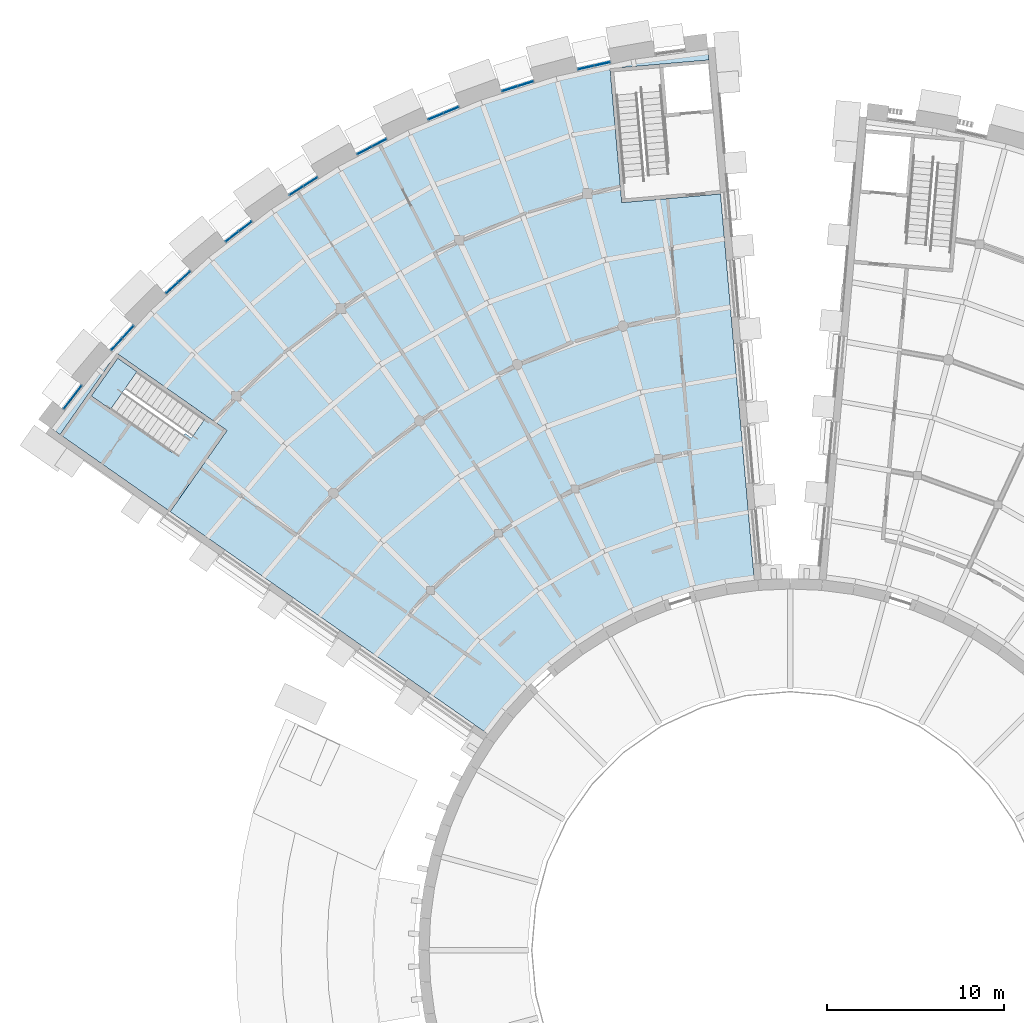
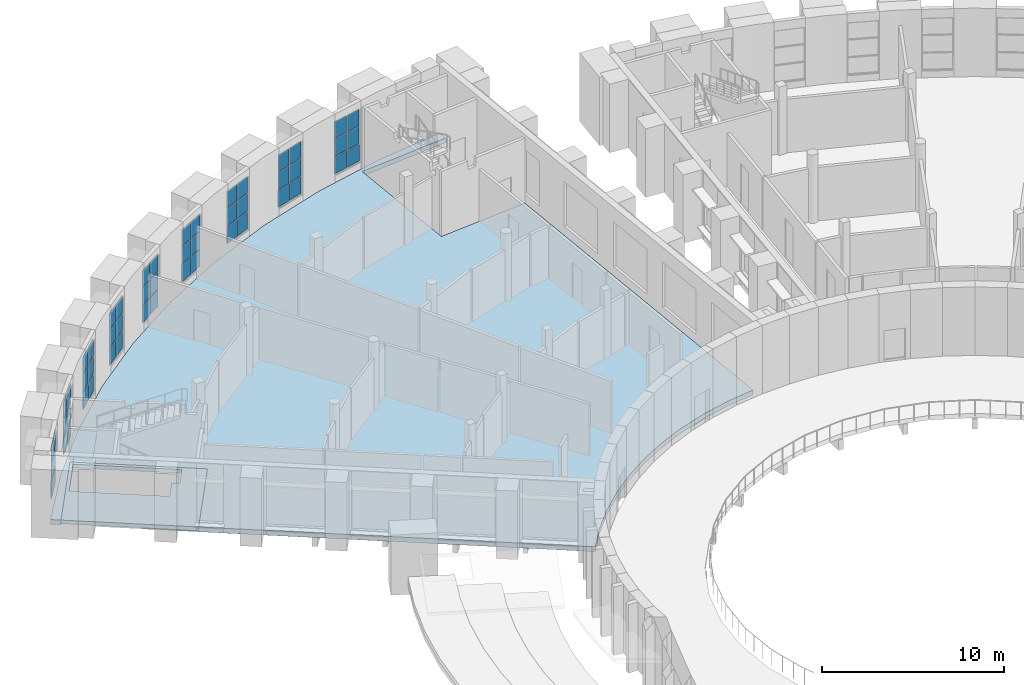
# One storey, part 21 of 50: 51 plates, 3 slabs, 10 elements without a shape of their own.
"""IFC4 building model written with IfcOpenShell, lengths in metres."""

from ifc_helpers import new_model, si_unit, direction, frame, origin, origin_2d, place, context, subcontext, project, spatial, polyline, rectangle, outline, extrude, material, layer, layer_set, type_object, element, aggregate, save


model = new_model("IFC4")

# Units and contexts
model_context = context("Model", 3, precision=1e-05, world=origin(), true_north=direction((0.0, 1.0)))
body_context = subcontext(model_context, "Body", "Model", "MODEL_VIEW")
ifc_project = project(units=[si_unit("LENGTHUNIT", "METRE"), si_unit("AREAUNIT", "SQUARE_METRE"), si_unit("VOLUMEUNIT", "CUBIC_METRE"), si_unit("PLANEANGLEUNIT", "RADIAN"), si_unit("MASSUNIT", "GRAM", prefix="KILO")], contexts=[model_context])

# Site, building, storey
site_placement = place(None, origin())
site = spatial("IfcSite", under=ifc_project, at=site_placement, CompositionType="ELEMENT")
building_placement = place(site_placement, origin())
building = spatial("IfcBuilding", under=site, at=building_placement, Name="Volute Hill Aquarium", CompositionType="ELEMENT")
storey_placement = place(building_placement, frame((0.0, 0.0, 9.199951171875)))
storey = spatial("IfcBuildingStorey", under=building, at=storey_placement, Name="L03", CompositionType="ELEMENT", Elevation=9.199951171875)

# Slab
ifc_material_1 = material(Name="Concrete C30/37", Category="concrete")
ifc_layer_1 = layer(ifc_material_1, 0.25)
ifc_layer_set_1 = layer_set([ifc_layer_1], Name="Core floor slab 250")
slab_type_1 = type_object("IfcSlabType", Name="Core floor slab 250", PredefinedType="FLOOR", material=ifc_layer_set_1)
slab_1_placement = place(storey_placement, frame((0.0, 0.0, -0.25)))
element("IfcSlab", 1, at=slab_1_placement, inside=storey, type_object=slab_type_1, Name="cs/S6-B/L03", PredefinedType="FLOOR", context=body_context, shape_type="SweptSolid", body=[
    extrude(outline(polyline([(-31.81494140625, 29.357421875), (-38.040283203125, 33.716796875), (-41.25244140625, 29.12939453125), (-35.02685546875, 24.770263671875), (-31.81494140625, 29.357421875)]), holes=[polyline([(-34.936279296875, 28.125), (-39.482666015625, 31.308349609375), (-37.9912109375, 33.43798828125), (-33.077880859375, 29.997802734375), (-33.82373046875, 28.932861328125), (-34.190673828125, 29.18994140625), (-34.936279296875, 28.125)])]), origin(), (0.0, 0.0, 1.0), 0.25),
])

# Curtain wall, plates
ifc_material_2 = material(Name="Aluminium", Category="aluminium")
ifc_layer_2 = layer(ifc_material_2, 0.25)
ifc_layer_set_2 = layer_set([ifc_layer_2], Name="Curtain wall niche S6 module 967")
curtain_wall_type_1 = type_object("IfcCurtainWallType", Name="Curtain wall niche S6 module 967", PredefinedType="NOTDEFINED", material=ifc_layer_set_2)
curtain_wall_1_placement = place(storey_placement, origin())
curtain_wall_1 = element("IfcCurtainWall", 2, at=curtain_wall_1_placement, inside=storey, type_object=curtain_wall_type_1, Name="Curtain wall CW S6 L03 2", PredefinedType="NOTDEFINED")
ifc_material_3 = material(Name="Glass, low-iron laminated", Category="glass")
ifc_layer_3 = layer(ifc_material_3, 0.035888671875)
ifc_layer_set_3 = layer_set([ifc_layer_3], Name="Curtain wall glass panel S6 36")
plate_type_1 = type_object("IfcPlateType", Name="Curtain wall glass panel S6 36", PredefinedType="CURTAIN_PANEL", material=ifc_layer_set_3)
plate_1_placement = place(storey_placement, frame((-10.61669921875, 50.064697265625, 1.675048828125), z_axis=(0.0, 0.0, 1.0), x_axis=(-0.976298264105, -0.216429433084, 0.0)))
plate_1 = element("IfcPlate", 3, at=plate_1_placement, type_object=plate_type_1, Name="CW panel 1.2", PredefinedType="CURTAIN_PANEL", context=body_context, shape_type="SweptSolid", body=[
    extrude(rectangle(XDim=0.891845703125, YDim=0.035888671875, at=origin_2d()), origin(), (0.0, 0.0, 1.0), 1.14990234375),
])
plate_2_placement = place(storey_placement, frame((-10.61669921875, 50.064697265625, 2.875), z_axis=(0.0, 0.0, 1.0), x_axis=(-0.976298264105, -0.216429433084, 0.0)))
plate_2 = element("IfcPlate", 4, at=plate_2_placement, type_object=plate_type_1, Name="CW panel 1.3", PredefinedType="CURTAIN_PANEL", context=body_context, shape_type="SweptSolid", body=[
    extrude(rectangle(XDim=0.891845703125, YDim=0.035888671875, at=origin_2d()), origin(), (0.0, 0.0, 1.0), 1.125),
])
plate_3_placement = place(storey_placement, frame((-11.536376953125, 49.86083984375, 1.675048828125), z_axis=(0.0, 0.0, 1.0), x_axis=(-0.976298264105, -0.216429433084, 0.0)))
plate_3 = element("IfcPlate", 5, at=plate_3_placement, type_object=plate_type_1, Name="CW panel 2.2", PredefinedType="CURTAIN_PANEL", context=body_context, shape_type="SweptSolid", body=[
    extrude(rectangle(XDim=0.891845703125, YDim=0.035888671875, at=origin_2d()), origin(), (0.0, 0.0, 1.0), 1.14990234375),
])
plate_4_placement = place(storey_placement, frame((-11.536376953125, 49.86083984375, 2.875), z_axis=(0.0, 0.0, 1.0), x_axis=(-0.976298264105, -0.216429433084, 0.0)))
plate_4 = element("IfcPlate", 6, at=plate_4_placement, type_object=plate_type_1, Name="CW panel 2.3", PredefinedType="CURTAIN_PANEL", context=body_context, shape_type="SweptSolid", body=[
    extrude(rectangle(XDim=0.891845703125, YDim=0.035888671875, at=origin_2d()), origin(), (0.0, 0.0, 1.0), 1.125),
])

curtain_wall_2_placement = place(storey_placement, origin())
curtain_wall_2 = element("IfcCurtainWall", 7, at=curtain_wall_2_placement, inside=storey, type_object=curtain_wall_type_1, Name="Curtain wall CW S6 L03 3", PredefinedType="NOTDEFINED")
plate_5_placement = place(storey_placement, frame((-14.939697265625, 48.948974609375, 1.675048828125), z_axis=(0.0, 0.0, 1.0), x_axis=(-0.953716759337, -0.300706406582, 0.0)))
plate_5 = element("IfcPlate", 8, at=plate_5_placement, type_object=plate_type_1, Name="CW panel 1.2", PredefinedType="CURTAIN_PANEL", context=body_context, shape_type="SweptSolid", body=[
    extrude(rectangle(XDim=0.891845703125, YDim=0.035888671875, at=origin_2d()), origin(), (0.0, 0.0, 1.0), 1.14990234375),
])
plate_6_placement = place(storey_placement, frame((-14.939697265625, 48.948974609375, 2.875), z_axis=(0.0, 0.0, 1.0), x_axis=(-0.953716759337, -0.300706406582, 0.0)))
plate_6 = element("IfcPlate", 9, at=plate_6_placement, type_object=plate_type_1, Name="CW panel 1.3", PredefinedType="CURTAIN_PANEL", context=body_context, shape_type="SweptSolid", body=[
    extrude(rectangle(XDim=0.891845703125, YDim=0.035888671875, at=origin_2d()), origin(), (0.0, 0.0, 1.0), 1.125),
])
plate_7_placement = place(storey_placement, frame((-15.838134765625, 48.665771484375, 1.675048828125), z_axis=(0.0, 0.0, 1.0), x_axis=(-0.953716759337, -0.300706406582, 0.0)))
plate_7 = element("IfcPlate", 10, at=plate_7_placement, type_object=plate_type_1, Name="CW panel 2.2", PredefinedType="CURTAIN_PANEL", context=body_context, shape_type="SweptSolid", body=[
    extrude(rectangle(XDim=0.891845703125, YDim=0.035888671875, at=origin_2d()), origin(), (0.0, 0.0, 1.0), 1.14990234375),
])
plate_8_placement = place(storey_placement, frame((-15.838134765625, 48.665771484375, 2.875), z_axis=(0.0, 0.0, 1.0), x_axis=(-0.953716759337, -0.300706406582, 0.0)))
plate_8 = element("IfcPlate", 11, at=plate_8_placement, type_object=plate_type_1, Name="CW panel 2.3", PredefinedType="CURTAIN_PANEL", context=body_context, shape_type="SweptSolid", body=[
    extrude(rectangle(XDim=0.891845703125, YDim=0.035888671875, at=origin_2d()), origin(), (0.0, 0.0, 1.0), 1.125),
])

curtain_wall_3_placement = place(storey_placement, origin())
curtain_wall_3 = element("IfcCurtainWall", 12, at=curtain_wall_3_placement, inside=storey, type_object=curtain_wall_type_1, Name="Curtain wall CW S6 L03 4", PredefinedType="NOTDEFINED")
plate_9_placement = place(storey_placement, frame((-19.149169921875, 47.460693359375, 1.675048828125), z_axis=(0.0, 0.0, 1.0), x_axis=(-0.923881012069, -0.382679860378, 0.0)))
plate_9 = element("IfcPlate", 13, at=plate_9_placement, type_object=plate_type_1, Name="CW panel 1.2", PredefinedType="CURTAIN_PANEL", context=body_context, shape_type="SweptSolid", body=[
    extrude(rectangle(XDim=0.891845703125, YDim=0.035888671875, at=origin_2d()), origin(), (0.0, 0.0, 1.0), 1.14990234375),
])
plate_10_placement = place(storey_placement, frame((-19.149169921875, 47.460693359375, 2.875), z_axis=(0.0, 0.0, 1.0), x_axis=(-0.923881012069, -0.382679860378, 0.0)))
plate_10 = element("IfcPlate", 14, at=plate_10_placement, type_object=plate_type_1, Name="CW panel 1.3", PredefinedType="CURTAIN_PANEL", context=body_context, shape_type="SweptSolid", body=[
    extrude(rectangle(XDim=0.891845703125, YDim=0.035888671875, at=origin_2d()), origin(), (0.0, 0.0, 1.0), 1.125),
])
plate_11_placement = place(storey_placement, frame((-20.019287109375, 47.10009765625, 1.675048828125), z_axis=(0.0, 0.0, 1.0), x_axis=(-0.923881012069, -0.382679860378, 0.0)))
plate_11 = element("IfcPlate", 15, at=plate_11_placement, type_object=plate_type_1, Name="CW panel 2.2", PredefinedType="CURTAIN_PANEL", context=body_context, shape_type="SweptSolid", body=[
    extrude(rectangle(XDim=0.891845703125, YDim=0.035888671875, at=origin_2d()), origin(), (0.0, 0.0, 1.0), 1.14990234375),
])
plate_12_placement = place(storey_placement, frame((-20.019287109375, 47.10009765625, 2.875), z_axis=(0.0, 0.0, 1.0), x_axis=(-0.923881012069, -0.382679860378, 0.0)))
plate_12 = element("IfcPlate", 16, at=plate_12_placement, type_object=plate_type_1, Name="CW panel 2.3", PredefinedType="CURTAIN_PANEL", context=body_context, shape_type="SweptSolid", body=[
    extrude(rectangle(XDim=0.891845703125, YDim=0.035888671875, at=origin_2d()), origin(), (0.0, 0.0, 1.0), 1.125),
])

curtain_wall_4_placement = place(storey_placement, origin())
curtain_wall_4 = element("IfcCurtainWall", 17, at=curtain_wall_4_placement, inside=storey, type_object=curtain_wall_type_1, Name="Curtain wall CW S6 L03 5", PredefinedType="NOTDEFINED")
plate_13_placement = place(storey_placement, frame((-23.212646484375, 45.611083984375, 1.675048828125), z_axis=(0.0, 0.0, 1.0), x_axis=(-0.88700512397, -0.461759580356, 0.0)))
plate_13 = element("IfcPlate", 18, at=plate_13_placement, type_object=plate_type_1, Name="CW panel 1.2", PredefinedType="CURTAIN_PANEL", context=body_context, shape_type="SweptSolid", body=[
    extrude(rectangle(XDim=0.891845703125, YDim=0.035888671875, at=origin_2d()), origin(), (0.0, 0.0, 1.0), 1.14990234375),
])
plate_14_placement = place(storey_placement, frame((-23.212646484375, 45.611083984375, 2.875), z_axis=(0.0, 0.0, 1.0), x_axis=(-0.88700512397, -0.461759580356, 0.0)))
plate_14 = element("IfcPlate", 19, at=plate_14_placement, type_object=plate_type_1, Name="CW panel 1.3", PredefinedType="CURTAIN_PANEL", context=body_context, shape_type="SweptSolid", body=[
    extrude(rectangle(XDim=0.891845703125, YDim=0.035888671875, at=origin_2d()), origin(), (0.0, 0.0, 1.0), 1.125),
])
plate_15_placement = place(storey_placement, frame((-24.048095703125, 45.17626953125, 1.675048828125), z_axis=(0.0, 0.0, 1.0), x_axis=(-0.88700512397, -0.461759580356, 0.0)))
plate_15 = element("IfcPlate", 20, at=plate_15_placement, type_object=plate_type_1, Name="CW panel 2.2", PredefinedType="CURTAIN_PANEL", context=body_context, shape_type="SweptSolid", body=[
    extrude(rectangle(XDim=0.891845703125, YDim=0.035888671875, at=origin_2d()), origin(), (0.0, 0.0, 1.0), 1.14990234375),
])
plate_16_placement = place(storey_placement, frame((-24.048095703125, 45.17626953125, 2.875), z_axis=(0.0, 0.0, 1.0), x_axis=(-0.88700512397, -0.461759580356, 0.0)))
plate_16 = element("IfcPlate", 21, at=plate_16_placement, type_object=plate_type_1, Name="CW panel 2.3", PredefinedType="CURTAIN_PANEL", context=body_context, shape_type="SweptSolid", body=[
    extrude(rectangle(XDim=0.891845703125, YDim=0.035888671875, at=origin_2d()), origin(), (0.0, 0.0, 1.0), 1.125),
])

curtain_wall_5_placement = place(storey_placement, origin())
curtain_wall_5 = element("IfcCurtainWall", 22, at=curtain_wall_5_placement, inside=storey, type_object=curtain_wall_type_1, Name="Curtain wall CW S6 L03 6", PredefinedType="NOTDEFINED")
plate_17_placement = place(storey_placement, frame((-27.099609375, 43.414306640625, 1.675048828125), z_axis=(0.0, 0.0, 1.0), x_axis=(-0.843394579142, -0.537294689973, 0.0)))
plate_17 = element("IfcPlate", 23, at=plate_17_placement, type_object=plate_type_1, Name="CW panel 1.2", PredefinedType="CURTAIN_PANEL", context=body_context, shape_type="SweptSolid", body=[
    extrude(rectangle(XDim=0.891845703125, YDim=0.035888671875, at=origin_2d()), origin(), (0.0, 0.0, 1.0), 1.14990234375),
])
plate_18_placement = place(storey_placement, frame((-27.099609375, 43.414306640625, 2.875), z_axis=(0.0, 0.0, 1.0), x_axis=(-0.843394579142, -0.537294689973, 0.0)))
plate_18 = element("IfcPlate", 24, at=plate_18_placement, type_object=plate_type_1, Name="CW panel 1.3", PredefinedType="CURTAIN_PANEL", context=body_context, shape_type="SweptSolid", body=[
    extrude(rectangle(XDim=0.891845703125, YDim=0.035888671875, at=origin_2d()), origin(), (0.0, 0.0, 1.0), 1.125),
])
plate_19_placement = place(storey_placement, frame((-27.89404296875, 42.908203125, 1.675048828125), z_axis=(0.0, 0.0, 1.0), x_axis=(-0.843394579142, -0.537294689973, 0.0)))
plate_19 = element("IfcPlate", 25, at=plate_19_placement, type_object=plate_type_1, Name="CW panel 2.2", PredefinedType="CURTAIN_PANEL", context=body_context, shape_type="SweptSolid", body=[
    extrude(rectangle(XDim=0.891845703125, YDim=0.035888671875, at=origin_2d()), origin(), (0.0, 0.0, 1.0), 1.14990234375),
])
plate_20_placement = place(storey_placement, frame((-27.89404296875, 42.908203125, 2.875), z_axis=(0.0, 0.0, 1.0), x_axis=(-0.843394579142, -0.537294689973, 0.0)))
plate_20 = element("IfcPlate", 26, at=plate_20_placement, type_object=plate_type_1, Name="CW panel 2.3", PredefinedType="CURTAIN_PANEL", context=body_context, shape_type="SweptSolid", body=[
    extrude(rectangle(XDim=0.891845703125, YDim=0.035888671875, at=origin_2d()), origin(), (0.0, 0.0, 1.0), 1.125),
])

curtain_wall_6_placement = place(storey_placement, origin())
curtain_wall_6 = element("IfcCurtainWall", 27, at=curtain_wall_6_placement, inside=storey, type_object=curtain_wall_type_1, Name="Curtain wall CW S6 L03 7", PredefinedType="NOTDEFINED")
plate_21_placement = place(storey_placement, frame((-30.7802734375, 40.88720703125, 1.675048828125), z_axis=(0.0, 0.0, 1.0), x_axis=(-0.793347775493, -0.608768681127, 0.0)))
plate_21 = element("IfcPlate", 28, at=plate_21_placement, type_object=plate_type_1, Name="CW panel 1.2", PredefinedType="CURTAIN_PANEL", context=body_context, shape_type="SweptSolid", body=[
    extrude(rectangle(XDim=0.891845703125, YDim=0.035888671875, at=origin_2d()), origin(), (0.0, 0.0, 1.0), 1.14990234375),
])
plate_22_placement = place(storey_placement, frame((-30.7802734375, 40.88720703125, 2.875), z_axis=(0.0, 0.0, 1.0), x_axis=(-0.793347775493, -0.608768681127, 0.0)))
plate_22 = element("IfcPlate", 29, at=plate_22_placement, type_object=plate_type_1, Name="CW panel 1.3", PredefinedType="CURTAIN_PANEL", context=body_context, shape_type="SweptSolid", body=[
    extrude(rectangle(XDim=0.891845703125, YDim=0.035888671875, at=origin_2d()), origin(), (0.0, 0.0, 1.0), 1.125),
])
plate_23_placement = place(storey_placement, frame((-31.527587890625, 40.31396484375, 1.675048828125), z_axis=(0.0, 0.0, 1.0), x_axis=(-0.793347775493, -0.608768681127, 0.0)))
plate_23 = element("IfcPlate", 30, at=plate_23_placement, type_object=plate_type_1, Name="CW panel 2.2", PredefinedType="CURTAIN_PANEL", context=body_context, shape_type="SweptSolid", body=[
    extrude(rectangle(XDim=0.891845703125, YDim=0.035888671875, at=origin_2d()), origin(), (0.0, 0.0, 1.0), 1.14990234375),
])
plate_24_placement = place(storey_placement, frame((-31.527587890625, 40.31396484375, 2.875), z_axis=(0.0, 0.0, 1.0), x_axis=(-0.793347775493, -0.608768681127, 0.0)))
plate_24 = element("IfcPlate", 31, at=plate_24_placement, type_object=plate_type_1, Name="CW panel 2.3", PredefinedType="CURTAIN_PANEL", context=body_context, shape_type="SweptSolid", body=[
    extrude(rectangle(XDim=0.891845703125, YDim=0.035888671875, at=origin_2d()), origin(), (0.0, 0.0, 1.0), 1.125),
])

curtain_wall_7_placement = place(storey_placement, origin())
curtain_wall_7 = element("IfcCurtainWall", 32, at=curtain_wall_7_placement, inside=storey, type_object=curtain_wall_type_1, Name="Curtain wall CW S6 L03 8", PredefinedType="NOTDEFINED")
plate_25_placement = place(storey_placement, frame((-34.226806640625, 38.049072265625, 1.675048828125), z_axis=(0.0, 0.0, 1.0), x_axis=(-0.737284850624, -0.675582007635, 0.0)))
plate_25 = element("IfcPlate", 33, at=plate_25_placement, type_object=plate_type_1, Name="CW panel 1.2", PredefinedType="CURTAIN_PANEL", context=body_context, shape_type="SweptSolid", body=[
    extrude(rectangle(XDim=0.891845703125, YDim=0.035888671875, at=origin_2d()), origin(), (0.0, 0.0, 1.0), 1.14990234375),
])
plate_26_placement = place(storey_placement, frame((-34.226806640625, 38.049072265625, 2.875), z_axis=(0.0, 0.0, 1.0), x_axis=(-0.737284850624, -0.675582007635, 0.0)))
plate_26 = element("IfcPlate", 34, at=plate_26_placement, type_object=plate_type_1, Name="CW panel 1.3", PredefinedType="CURTAIN_PANEL", context=body_context, shape_type="SweptSolid", body=[
    extrude(rectangle(XDim=0.891845703125, YDim=0.035888671875, at=origin_2d()), origin(), (0.0, 0.0, 1.0), 1.125),
])
plate_27_placement = place(storey_placement, frame((-34.921142578125, 37.412841796875, 1.675048828125), z_axis=(0.0, 0.0, 1.0), x_axis=(-0.737284850624, -0.675582007635, 0.0)))
plate_27 = element("IfcPlate", 35, at=plate_27_placement, type_object=plate_type_1, Name="CW panel 2.2", PredefinedType="CURTAIN_PANEL", context=body_context, shape_type="SweptSolid", body=[
    extrude(rectangle(XDim=0.891845703125, YDim=0.035888671875, at=origin_2d()), origin(), (0.0, 0.0, 1.0), 1.14990234375),
])
plate_28_placement = place(storey_placement, frame((-34.921142578125, 37.412841796875, 2.875), z_axis=(0.0, 0.0, 1.0), x_axis=(-0.737284850624, -0.675582007635, 0.0)))
plate_28 = element("IfcPlate", 36, at=plate_28_placement, type_object=plate_type_1, Name="CW panel 2.3", PredefinedType="CURTAIN_PANEL", context=body_context, shape_type="SweptSolid", body=[
    extrude(rectangle(XDim=0.891845703125, YDim=0.035888671875, at=origin_2d()), origin(), (0.0, 0.0, 1.0), 1.125),
])

curtain_wall_8_placement = place(storey_placement, origin())
curtain_wall_8 = element("IfcCurtainWall", 37, at=curtain_wall_8_placement, inside=storey, type_object=curtain_wall_type_1, Name="Curtain wall CW S6 L03 9", PredefinedType="NOTDEFINED")
plate_29_placement = place(storey_placement, frame((-37.412841796875, 34.921142578125, 1.675048828125), z_axis=(0.0, 0.0, 1.0), x_axis=(-0.675582007635, -0.737284850624, 0.0)))
plate_29 = element("IfcPlate", 38, at=plate_29_placement, type_object=plate_type_1, Name="CW panel 1.2", PredefinedType="CURTAIN_PANEL", context=body_context, shape_type="SweptSolid", body=[
    extrude(rectangle(XDim=0.891845703125, YDim=0.035888671875, at=origin_2d()), origin(), (0.0, 0.0, 1.0), 1.14990234375),
])
plate_30_placement = place(storey_placement, frame((-37.412841796875, 34.921142578125, 2.875), z_axis=(0.0, 0.0, 1.0), x_axis=(-0.675582007635, -0.737284850624, 0.0)))
plate_30 = element("IfcPlate", 39, at=plate_30_placement, type_object=plate_type_1, Name="CW panel 1.3", PredefinedType="CURTAIN_PANEL", context=body_context, shape_type="SweptSolid", body=[
    extrude(rectangle(XDim=0.891845703125, YDim=0.035888671875, at=origin_2d()), origin(), (0.0, 0.0, 1.0), 1.125),
])
plate_31_placement = place(storey_placement, frame((-38.049072265625, 34.226806640625, 1.675048828125), z_axis=(0.0, 0.0, 1.0), x_axis=(-0.675582007635, -0.737284850624, 0.0)))
plate_31 = element("IfcPlate", 40, at=plate_31_placement, type_object=plate_type_1, Name="CW panel 2.2", PredefinedType="CURTAIN_PANEL", context=body_context, shape_type="SweptSolid", body=[
    extrude(rectangle(XDim=0.891845703125, YDim=0.035888671875, at=origin_2d()), origin(), (0.0, 0.0, 1.0), 1.14990234375),
])
plate_32_placement = place(storey_placement, frame((-38.049072265625, 34.226806640625, 2.875), z_axis=(0.0, 0.0, 1.0), x_axis=(-0.675582007635, -0.737284850624, 0.0)))
plate_32 = element("IfcPlate", 41, at=plate_32_placement, type_object=plate_type_1, Name="CW panel 2.3", PredefinedType="CURTAIN_PANEL", context=body_context, shape_type="SweptSolid", body=[
    extrude(rectangle(XDim=0.891845703125, YDim=0.035888671875, at=origin_2d()), origin(), (0.0, 0.0, 1.0), 1.125),
])

ifc_material_4 = material(Name="Aluminium", Category="aluminium")
ifc_layer_4 = layer(ifc_material_4, 0.25)
ifc_layer_set_4 = layer_set([ifc_layer_4], Name="Curtain wall niche S6 module 1734")
curtain_wall_type_2 = type_object("IfcCurtainWallType", Name="Curtain wall niche S6 module 1734", PredefinedType="NOTDEFINED", material=ifc_layer_set_4)
curtain_wall_9_placement = place(storey_placement, origin())
curtain_wall_9 = element("IfcCurtainWall", 42, at=curtain_wall_9_placement, inside=storey, type_object=curtain_wall_type_2, Name="Curtain wall CW S6 L03 10", PredefinedType="NOTDEFINED")
plate_33_placement = place(storey_placement, frame((-40.539794921875, 31.2333984375, 1.675048828125), z_axis=(0.0, 0.0, 1.0), x_axis=(-0.608766945394, -0.79334910739, 0.0)))
plate_33 = element("IfcPlate", 43, at=plate_33_placement, type_object=plate_type_1, Name="CW panel 1.2", PredefinedType="CURTAIN_PANEL", context=body_context, shape_type="SweptSolid", body=[
    extrude(rectangle(XDim=1.633544921875, YDim=0.035888671875, at=origin_2d()), origin(), (0.0, 0.0, 1.0), 1.14990234375),
])
plate_34_placement = place(storey_placement, frame((-40.539794921875, 31.2333984375, 2.875), z_axis=(0.0, 0.0, 1.0), x_axis=(-0.608766945394, -0.79334910739, 0.0)))
plate_34 = element("IfcPlate", 44, at=plate_34_placement, type_object=plate_type_1, Name="CW panel 1.3", PredefinedType="CURTAIN_PANEL", context=body_context, shape_type="SweptSolid", body=[
    extrude(rectangle(XDim=1.633544921875, YDim=0.035888671875, at=origin_2d()), origin(), (0.0, 0.0, 1.0), 1.125),
])

# Plate
ifc_material_5 = material(Name="Aluminium", Category="aluminium")
ifc_layer_5 = layer(ifc_material_5, 0.06005859375)
ifc_layer_set_5 = layer_set([ifc_layer_5], Name="Curtain wall insulated spandrel panel 60")
plate_type_2 = type_object("IfcPlateType", Name="Curtain wall insulated spandrel panel 60", PredefinedType="CURTAIN_PANEL", material=ifc_layer_set_5)
plate_35_placement = place(storey_placement, frame((-10.61669921875, 50.064697265625, 0.5), z_axis=(0.0, 0.0, 1.0), x_axis=(-0.976298264105, -0.216429433084, 0.0)))
plate_35 = element("IfcPlate", 45, at=plate_35_placement, type_object=plate_type_2, Name="CW panel 1.1", PredefinedType="CURTAIN_PANEL", context=body_context, shape_type="SweptSolid", body=[
    extrude(rectangle(XDim=0.891845703125, YDim=0.06005859375, at=origin_2d()), origin(), (0.0, 0.0, 1.0), 1.125),
])

plate_36_placement = place(storey_placement, frame((-11.536376953125, 49.86083984375, 0.5), z_axis=(0.0, 0.0, 1.0), x_axis=(-0.976298264105, -0.216429433084, 0.0)))
plate_36 = element("IfcPlate", 46, at=plate_36_placement, type_object=plate_type_2, Name="CW panel 2.1", PredefinedType="CURTAIN_PANEL", context=body_context, shape_type="SweptSolid", body=[
    extrude(rectangle(XDim=0.891845703125, YDim=0.06005859375, at=origin_2d()), origin(), (0.0, 0.0, 1.0), 1.125),
])

aggregate(curtain_wall_1, [plate_35, plate_1, plate_2, plate_36, plate_3, plate_4])

plate_37_placement = place(storey_placement, frame((-14.939697265625, 48.948974609375, 0.5), z_axis=(0.0, 0.0, 1.0), x_axis=(-0.953716759337, -0.300706406582, 0.0)))
plate_37 = element("IfcPlate", 47, at=plate_37_placement, type_object=plate_type_2, Name="CW panel 1.1", PredefinedType="CURTAIN_PANEL", context=body_context, shape_type="SweptSolid", body=[
    extrude(rectangle(XDim=0.891845703125, YDim=0.06005859375, at=origin_2d()), origin(), (0.0, 0.0, 1.0), 1.125),
])

plate_38_placement = place(storey_placement, frame((-15.838134765625, 48.665771484375, 0.5), z_axis=(0.0, 0.0, 1.0), x_axis=(-0.953716759337, -0.300706406582, 0.0)))
plate_38 = element("IfcPlate", 48, at=plate_38_placement, type_object=plate_type_2, Name="CW panel 2.1", PredefinedType="CURTAIN_PANEL", context=body_context, shape_type="SweptSolid", body=[
    extrude(rectangle(XDim=0.891845703125, YDim=0.06005859375, at=origin_2d()), origin(), (0.0, 0.0, 1.0), 1.125),
])

aggregate(curtain_wall_2, [plate_37, plate_5, plate_6, plate_38, plate_7, plate_8])

plate_39_placement = place(storey_placement, frame((-19.149169921875, 47.460693359375, 0.5), z_axis=(0.0, 0.0, 1.0), x_axis=(-0.923881012069, -0.382679860378, 0.0)))
plate_39 = element("IfcPlate", 49, at=plate_39_placement, type_object=plate_type_2, Name="CW panel 1.1", PredefinedType="CURTAIN_PANEL", context=body_context, shape_type="SweptSolid", body=[
    extrude(rectangle(XDim=0.891845703125, YDim=0.06005859375, at=origin_2d()), origin(), (0.0, 0.0, 1.0), 1.125),
])

plate_40_placement = place(storey_placement, frame((-20.019287109375, 47.10009765625, 0.5), z_axis=(0.0, 0.0, 1.0), x_axis=(-0.923881012069, -0.382679860378, 0.0)))
plate_40 = element("IfcPlate", 50, at=plate_40_placement, type_object=plate_type_2, Name="CW panel 2.1", PredefinedType="CURTAIN_PANEL", context=body_context, shape_type="SweptSolid", body=[
    extrude(rectangle(XDim=0.891845703125, YDim=0.06005859375, at=origin_2d()), origin(), (0.0, 0.0, 1.0), 1.125),
])

aggregate(curtain_wall_3, [plate_39, plate_9, plate_10, plate_40, plate_11, plate_12])

plate_41_placement = place(storey_placement, frame((-23.212646484375, 45.611083984375, 0.5), z_axis=(0.0, 0.0, 1.0), x_axis=(-0.88700512397, -0.461759580356, 0.0)))
plate_41 = element("IfcPlate", 51, at=plate_41_placement, type_object=plate_type_2, Name="CW panel 1.1", PredefinedType="CURTAIN_PANEL", context=body_context, shape_type="SweptSolid", body=[
    extrude(rectangle(XDim=0.891845703125, YDim=0.06005859375, at=origin_2d()), origin(), (0.0, 0.0, 1.0), 1.125),
])

plate_42_placement = place(storey_placement, frame((-24.048095703125, 45.17626953125, 0.5), z_axis=(0.0, 0.0, 1.0), x_axis=(-0.88700512397, -0.461759580356, 0.0)))
plate_42 = element("IfcPlate", 52, at=plate_42_placement, type_object=plate_type_2, Name="CW panel 2.1", PredefinedType="CURTAIN_PANEL", context=body_context, shape_type="SweptSolid", body=[
    extrude(rectangle(XDim=0.891845703125, YDim=0.06005859375, at=origin_2d()), origin(), (0.0, 0.0, 1.0), 1.125),
])

aggregate(curtain_wall_4, [plate_41, plate_13, plate_14, plate_42, plate_15, plate_16])

plate_43_placement = place(storey_placement, frame((-27.099609375, 43.414306640625, 0.5), z_axis=(0.0, 0.0, 1.0), x_axis=(-0.843394579142, -0.537294689973, 0.0)))
plate_43 = element("IfcPlate", 53, at=plate_43_placement, type_object=plate_type_2, Name="CW panel 1.1", PredefinedType="CURTAIN_PANEL", context=body_context, shape_type="SweptSolid", body=[
    extrude(rectangle(XDim=0.891845703125, YDim=0.06005859375, at=origin_2d()), origin(), (0.0, 0.0, 1.0), 1.125),
])

plate_44_placement = place(storey_placement, frame((-27.89404296875, 42.908203125, 0.5), z_axis=(0.0, 0.0, 1.0), x_axis=(-0.843394579142, -0.537294689973, 0.0)))
plate_44 = element("IfcPlate", 54, at=plate_44_placement, type_object=plate_type_2, Name="CW panel 2.1", PredefinedType="CURTAIN_PANEL", context=body_context, shape_type="SweptSolid", body=[
    extrude(rectangle(XDim=0.891845703125, YDim=0.06005859375, at=origin_2d()), origin(), (0.0, 0.0, 1.0), 1.125),
])

aggregate(curtain_wall_5, [plate_43, plate_17, plate_18, plate_44, plate_19, plate_20])

plate_45_placement = place(storey_placement, frame((-30.7802734375, 40.88720703125, 0.5), z_axis=(0.0, 0.0, 1.0), x_axis=(-0.793347775493, -0.608768681127, 0.0)))
plate_45 = element("IfcPlate", 55, at=plate_45_placement, type_object=plate_type_2, Name="CW panel 1.1", PredefinedType="CURTAIN_PANEL", context=body_context, shape_type="SweptSolid", body=[
    extrude(rectangle(XDim=0.891845703125, YDim=0.06005859375, at=origin_2d()), origin(), (0.0, 0.0, 1.0), 1.125),
])

plate_46_placement = place(storey_placement, frame((-31.527587890625, 40.31396484375, 0.5), z_axis=(0.0, 0.0, 1.0), x_axis=(-0.793347775493, -0.608768681127, 0.0)))
plate_46 = element("IfcPlate", 56, at=plate_46_placement, type_object=plate_type_2, Name="CW panel 2.1", PredefinedType="CURTAIN_PANEL", context=body_context, shape_type="SweptSolid", body=[
    extrude(rectangle(XDim=0.891845703125, YDim=0.06005859375, at=origin_2d()), origin(), (0.0, 0.0, 1.0), 1.125),
])

aggregate(curtain_wall_6, [plate_45, plate_21, plate_22, plate_46, plate_23, plate_24])

plate_47_placement = place(storey_placement, frame((-34.226806640625, 38.049072265625, 0.5), z_axis=(0.0, 0.0, 1.0), x_axis=(-0.737284850624, -0.675582007635, 0.0)))
plate_47 = element("IfcPlate", 57, at=plate_47_placement, type_object=plate_type_2, Name="CW panel 1.1", PredefinedType="CURTAIN_PANEL", context=body_context, shape_type="SweptSolid", body=[
    extrude(rectangle(XDim=0.891845703125, YDim=0.06005859375, at=origin_2d()), origin(), (0.0, 0.0, 1.0), 1.125),
])

plate_48_placement = place(storey_placement, frame((-34.921142578125, 37.412841796875, 0.5), z_axis=(0.0, 0.0, 1.0), x_axis=(-0.737284850624, -0.675582007635, 0.0)))
plate_48 = element("IfcPlate", 58, at=plate_48_placement, type_object=plate_type_2, Name="CW panel 2.1", PredefinedType="CURTAIN_PANEL", context=body_context, shape_type="SweptSolid", body=[
    extrude(rectangle(XDim=0.891845703125, YDim=0.06005859375, at=origin_2d()), origin(), (0.0, 0.0, 1.0), 1.125),
])

aggregate(curtain_wall_7, [plate_47, plate_25, plate_26, plate_48, plate_27, plate_28])

plate_49_placement = place(storey_placement, frame((-37.412841796875, 34.921142578125, 0.5), z_axis=(0.0, 0.0, 1.0), x_axis=(-0.675582007635, -0.737284850624, 0.0)))
plate_49 = element("IfcPlate", 59, at=plate_49_placement, type_object=plate_type_2, Name="CW panel 1.1", PredefinedType="CURTAIN_PANEL", context=body_context, shape_type="SweptSolid", body=[
    extrude(rectangle(XDim=0.891845703125, YDim=0.06005859375, at=origin_2d()), origin(), (0.0, 0.0, 1.0), 1.125),
])

plate_50_placement = place(storey_placement, frame((-38.049072265625, 34.226806640625, 0.5), z_axis=(0.0, 0.0, 1.0), x_axis=(-0.675582007635, -0.737284850624, 0.0)))
plate_50 = element("IfcPlate", 60, at=plate_50_placement, type_object=plate_type_2, Name="CW panel 2.1", PredefinedType="CURTAIN_PANEL", context=body_context, shape_type="SweptSolid", body=[
    extrude(rectangle(XDim=0.891845703125, YDim=0.06005859375, at=origin_2d()), origin(), (0.0, 0.0, 1.0), 1.125),
])

aggregate(curtain_wall_8, [plate_49, plate_29, plate_30, plate_50, plate_31, plate_32])

plate_51_placement = place(storey_placement, frame((-40.539794921875, 31.2333984375, 0.5), z_axis=(0.0, 0.0, 1.0), x_axis=(-0.608766945394, -0.79334910739, 0.0)))
plate_51 = element("IfcPlate", 61, at=plate_51_placement, type_object=plate_type_2, Name="CW panel 1.1", PredefinedType="CURTAIN_PANEL", context=body_context, shape_type="SweptSolid", body=[
    extrude(rectangle(XDim=1.633544921875, YDim=0.06005859375, at=origin_2d()), origin(), (0.0, 0.0, 1.0), 1.125),
])

aggregate(curtain_wall_9, [plate_51, plate_33, plate_34])

# Slab
ifc_material_6 = material(Name="Concrete C35/45", Category="concrete")
ifc_layer_6 = layer(ifc_material_6, 0.320068359375)
ifc_layer_set_6 = layer_set([ifc_layer_6], Name="Floor slab 320 C35/45")
slab_type_2 = type_object("IfcSlabType", Name="Floor slab 320 C35/45", PredefinedType="FLOOR", material=ifc_layer_set_6)
slab_2_placement = place(storey_placement, frame((0.0, 0.0, -0.320068359375)))
element("IfcSlab", 62, at=slab_2_placement, inside=storey, type_object=slab_type_2, Name="fl/S6/L03/1", PredefinedType="FLOOR", context=body_context, shape_type="SweptSolid", body=[
    extrude(outline(polyline([(-39.14501953125, 32.846435546875), (-36.13330078125, 36.13330078125), (-32.846435546875, 39.14501953125), (-29.309814453125, 41.858642578125), (-25.550048828125, 44.25390625), (-21.595703125, 46.312255859375), (-17.477294921875, 48.018310546875), (-13.2255859375, 49.35888671875), (-8.873291015625, 50.32373046875), (-4.652099609375, 50.87939453125), (-4.6005859375, 50.290283203125), (-10.17919921875, 49.80224609375), (-9.516845703125, 42.231201171875), (-3.938232421875, 42.71923828125), (-2.02880859375, 20.89404296875), (-3.646484375, 20.680908203125), (-5.435302734375, 20.284423828125), (-7.182373046875, 19.7333984375), (-8.875, 19.032470703125), (-10.5, 18.1865234375), (-12.045166015625, 17.2021484375), (-13.49853515625, 16.0869140625), (-14.84912109375, 14.84912109375), (-16.0869140625, 13.49853515625), (-17.080322265625, 12.203857421875), (-37.56396484375, 26.546630859375), (-35.02685546875, 24.770263671875), (-31.81494140625, 29.357421875), (-38.040283203125, 33.716796875), (-41.25244140625, 29.12939453125), (-41.73681640625, 29.468505859375), (-39.14501953125, 32.846435546875)])), origin(), (0.0, 0.0, 1.0), 0.320068359375),
])

# Stair, slab
ifc_material_7 = material(Name="Concrete C35/45", Category="concrete")
stair_type = type_object("IfcStairType", Name="Stair C35/45", PredefinedType="HALF_TURN_STAIR", material=ifc_material_7)
stair_placement = place(storey_placement, origin())
stair = element("IfcStair", 63, at=stair_placement, inside=storey, type_object=stair_type, Name="ST/S6-B/L03", PredefinedType="HALF_TURN_STAIR")
ifc_material_8 = material(Name="Concrete C35/45", Category="concrete")
ifc_layer_7 = layer(ifc_material_8, 0.199951171875)
ifc_layer_set_7 = layer_set([ifc_layer_7], Name="Stair landing C35/45 200")
slab_type_3 = type_object("IfcSlabType", Name="Stair landing C35/45 200", PredefinedType="LANDING", material=ifc_layer_set_7)
slab_3_placement = place(storey_placement, frame((0.0, 0.0, 2.10009765625)))
slab_3 = element("IfcSlab", 64, at=slab_3_placement, type_object=slab_type_3, Name="ST-S6-B-03 landing 1", PredefinedType="LANDING", context=body_context, shape_type="SweptSolid", body=[
    extrude(outline(polyline([(-36.908447265625, 32.679931640625), (-37.9912109375, 33.43798828125), (-39.482666015625, 31.308349609375), (-38.399658203125, 30.550048828125), (-36.908447265625, 32.679931640625)])), origin(), (0.0, 0.0, 1.0), 0.199951171875),
])
aggregate(stair, [slab_3])

save(model, "model.ifc")
